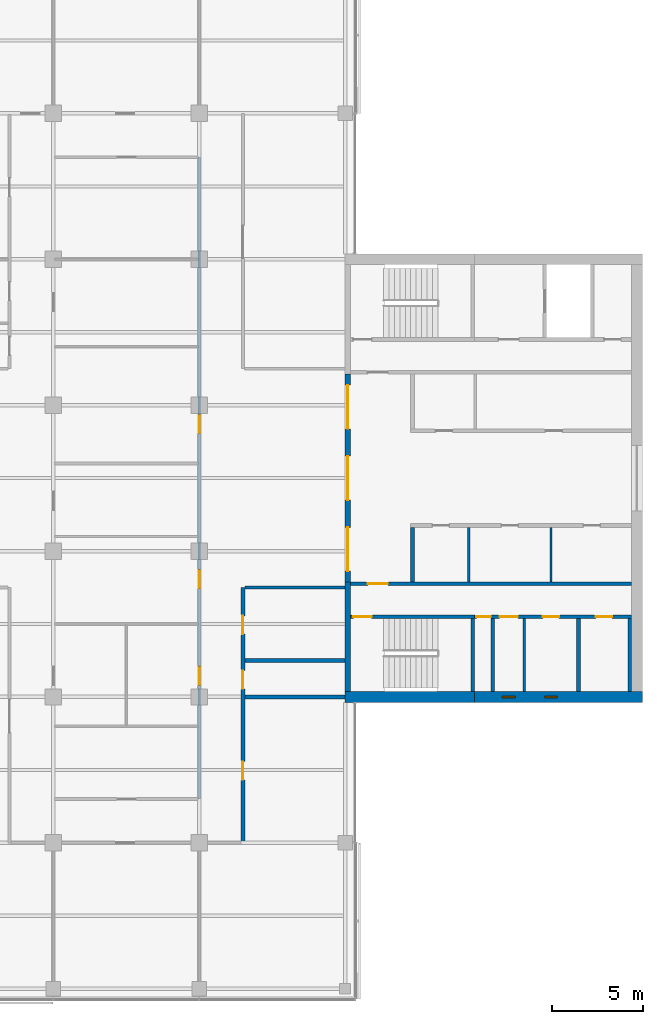
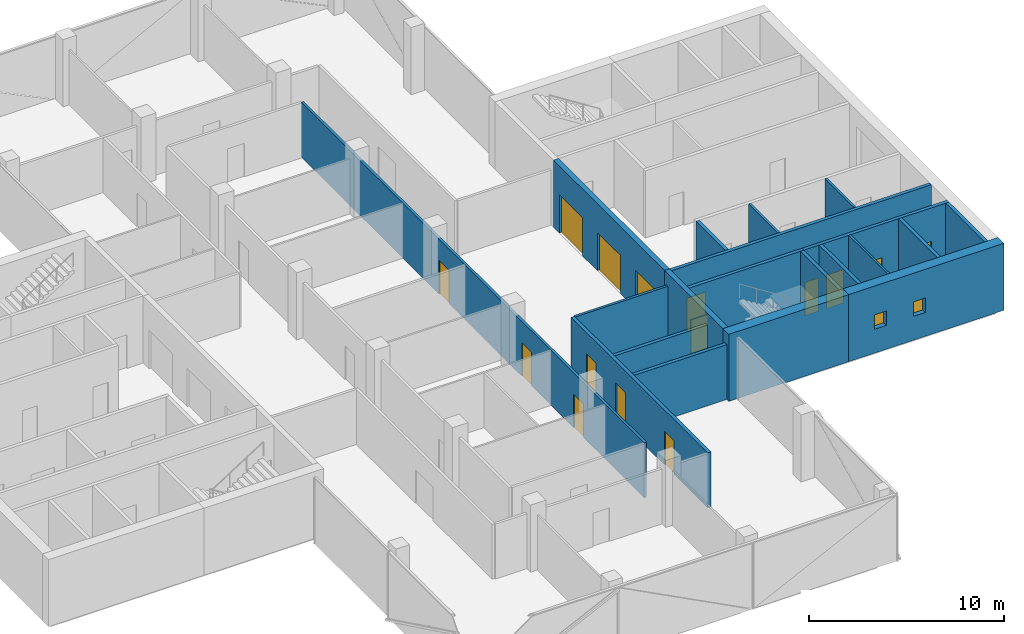
# One storey, part 10 of 15: 20 walls, 15 doors, 2 windows, 17 openings.
"""IFC4 building model written with IfcOpenShell, lengths in metres."""

from ifc_helpers import new_model, si_unit, direction, frame, frame_2d, origin, place, context, subcontext, project, spatial, rectangle, extrude, material, layer, layer_set, constituent, constituent_set, type_object, element, fill, save


model = new_model("IFC4")

# Units and contexts
model_context = context("Model", 3, precision=1e-05, world=origin(), true_north=direction((0.0, 1.0)))
body_context = subcontext(model_context, "Body", "Model", "MODEL_VIEW")
ifc_project = project(units=[si_unit("LENGTHUNIT", "METRE"), si_unit("AREAUNIT", "SQUARE_METRE"), si_unit("VOLUMEUNIT", "CUBIC_METRE"), si_unit("PLANEANGLEUNIT", "RADIAN"), si_unit("MASSUNIT", "GRAM", prefix="KILO")], contexts=[model_context])

# Site, building, storey
site_placement = place(None, origin())
site = spatial("IfcSite", under=ifc_project, at=site_placement, CompositionType="ELEMENT")
building_placement = place(site_placement, origin())
building = spatial("IfcBuilding", under=site, at=building_placement, Name="Crosswind Convention Tower", CompositionType="ELEMENT")
storey_placement = place(building_placement, frame((0.0, 0.0, 183.10009765625)))
storey = spatial("IfcBuildingStorey", under=building, at=storey_placement, Name="L38", CompositionType="ELEMENT", Elevation=183.10009765625)

# Wall
ifc_material_1 = material(Name="Concrete blockwork", Category="masonry")
ifc_layer_1 = layer(ifc_material_1, 0.199951171875)
ifc_layer_set_1 = layer_set([ifc_layer_1], Name="Blockwork partition wall 200")
wall_type_1 = type_object("IfcWallType", Name="Blockwork partition wall 200", PredefinedType="PARTITIONING", material=ifc_layer_set_1)
wall_1_placement = place(storey_placement, frame((145.10009765625, 88.300048828125, 0.0), z_axis=(0.0, 0.0, 1.0), x_axis=(0.0, 1.0, 0.0)))
element("IfcWall", 1, at=wall_1_placement, inside=storey, type_object=wall_type_1, Name="Wall MRSE E L38", PredefinedType="PARTITIONING", context=body_context, shape_type="SweptSolid", body=[
    extrude(rectangle(XDim=4.0, YDim=0.199951171875, at=frame_2d((2.0, 0.0))), origin(), (0.0, 0.0, 1.0), 4.199951171875),
])

# Wall, openings, doors
ifc_layer_2 = layer(ifc_material_1, 0.199951171875)
ifc_layer_set_2 = layer_set([ifc_layer_2], Name="COMPARTMENT WALL 200 BLOCKWORK")
wall_type_2 = type_object("IfcWallType", Name="COMPARTMENT WALL 200 BLOCKWORK", PredefinedType="SOLIDWALL", material=ifc_layer_set_2)
wall_2_placement = place(storey_placement, frame((131.39990234375, 80.0, 0.0), z_axis=(0.0, 0.0, 1.0), x_axis=(0.0, 1.0, 0.0)))
wall_2 = element("IfcWall", 2, at=wall_2_placement, inside=storey, type_object=wall_type_2, Name="Compartment wall WT42", PredefinedType="SOLIDWALL", context=body_context, shape_type="SweptSolid", body=[
    extrude(rectangle(XDim=14.0, YDim=0.199951171875, at=frame_2d((7.0, 0.0))), origin(), (0.0, 0.0, 1.0), 3.439697265625),
])
opening_1_placement = place(wall_2_placement, frame((11.449951171875, 0.0, 0.0)))
opening_1 = element("IfcOpeningElement", 3, at=opening_1_placement, cuts=wall_2, Name="Opening L38-51", PredefinedType="OPENING", context=body_context, shape_type="SweptSolid", body=[
    extrude(rectangle(XDim=1.0, YDim=2.10009765625, at=frame_2d((0.5, 1.050048828125))), frame((0.0, 0.10986328125, 0.0), z_axis=(0.0, -1.0, 0.0), x_axis=(1.0, 0.0, 0.0)), (0.0, 0.0, 1.0), 0.219970703125),
])
opening_2_placement = place(wall_2_placement, frame((8.449951171875, 0.0, 0.0)))
opening_2 = element("IfcOpeningElement", 4, at=opening_2_placement, cuts=wall_2, Name="Opening L38-52", PredefinedType="OPENING", context=body_context, shape_type="SweptSolid", body=[
    extrude(rectangle(XDim=1.0, YDim=2.10009765625, at=frame_2d((0.5, 1.050048828125))), frame((0.0, 0.10986328125, 0.0), z_axis=(0.0, -1.0, 0.0), x_axis=(1.0, 0.0, 0.0)), (0.0, 0.0, 1.0), 0.219970703125),
])
opening_3_placement = place(wall_2_placement, frame((3.449951171875, 0.0, 0.0)))
opening_3 = element("IfcOpeningElement", 5, at=opening_3_placement, cuts=wall_2, Name="Opening L38-53", PredefinedType="OPENING", context=body_context, shape_type="SweptSolid", body=[
    extrude(rectangle(XDim=1.0, YDim=2.10009765625, at=frame_2d((0.5, 1.050048828125))), frame((0.0, 0.10986328125, 0.0), z_axis=(0.0, -1.0, 0.0), x_axis=(1.0, 0.0, 0.0)), (0.0, 0.0, 1.0), 0.219970703125),
])
ifc_material_2 = material(Name="Steel fire door", Category="steel")
door_type_1 = type_object("IfcDoorType", Name="PLANT ROOM DOOR 1000X2100 FD60", OperationType="NOTDEFINED", PredefinedType="DOOR", material=ifc_material_2)
door_1_placement = place(opening_2_placement, frame((1.0, 0.0, 0.0), z_axis=(0.0, 0.0, 1.0), x_axis=(-1.0, 0.0, 0.0)))
door_1 = element("IfcDoor", 6, at=door_1_placement, inside=storey, type_object=door_type_1, Name="Door L38-52", ObjectType="D43", OperationType="SINGLE_SWING_RIGHT", OverallHeight=2.10009765625, OverallWidth=1.0, PredefinedType="DOOR", context=body_context, shape_type="SweptSolid", body=[
    extrude(rectangle(XDim=1.0, YDim=2.10009765625, at=frame_2d((0.5, 1.050048828125))), frame((0.0, 0.02490234375, 0.0), z_axis=(0.0, -1.0, 0.0), x_axis=(1.0, 0.0, 0.0)), (0.0, 0.0, 1.0), 0.050048828125),
])
fill(opening_2, door_1)
ifc_material_3 = material(Name="Timber fire door", Category="wood")
door_type_2 = type_object("IfcDoorType", Name="TENANCY ENTRANCE DOOR 1000X2100 FD30S", OperationType="NOTDEFINED", PredefinedType="DOOR", material=ifc_material_3)
door_2_placement = place(opening_1_placement, frame((1.0, 0.0, 0.0), z_axis=(0.0, 0.0, 1.0), x_axis=(-1.0, 0.0, 0.0)))
door_2 = element("IfcDoor", 7, at=door_2_placement, inside=storey, type_object=door_type_2, Name="Door L38-51", ObjectType="D41", OperationType="SINGLE_SWING_RIGHT", OverallHeight=2.10009765625, OverallWidth=1.0, PredefinedType="DOOR", context=body_context, shape_type="SweptSolid", body=[
    extrude(rectangle(XDim=1.0, YDim=2.10009765625, at=frame_2d((0.5, 1.050048828125))), frame((0.0, 0.02490234375, 0.0), z_axis=(0.0, -1.0, 0.0), x_axis=(1.0, 0.0, 0.0)), (0.0, 0.0, 1.0), 0.050048828125),
])
fill(opening_1, door_2)
door_3_placement = place(opening_3_placement, frame((1.0, 0.0, 0.0), z_axis=(0.0, 0.0, 1.0), x_axis=(-1.0, 0.0, 0.0)))
door_3 = element("IfcDoor", 8, at=door_3_placement, inside=storey, type_object=door_type_2, Name="Door L38-53", ObjectType="D41", OperationType="SINGLE_SWING_LEFT", OverallHeight=2.10009765625, OverallWidth=1.0, PredefinedType="DOOR", context=body_context, shape_type="SweptSolid", body=[
    extrude(rectangle(XDim=1.0, YDim=2.10009765625, at=frame_2d((0.5, 1.050048828125))), frame((0.0, 0.02490234375, 0.0), z_axis=(0.0, -1.0, 0.0), x_axis=(1.0, 0.0, 0.0)), (0.0, 0.0, 1.0), 0.050048828125),
])
fill(opening_3, door_3)

# Walls
for number, where, z_axis, x_axis, name in (
    (9, (131.5, 88.0, 0.0), (0.0, 0.0, 1.0), (1.0, 0.0, 0.0), "Compartment wall WT42"),
    (10, (131.5, 90.0, 0.0), (0.0, 0.0, 1.0), (1.0, 0.0, 0.0), "Compartment wall WT42"),
):
    element("IfcWall", number, at=place(storey_placement, frame(where, z_axis=z_axis, x_axis=x_axis)), inside=storey, type_object=wall_type_2, Name=name, PredefinedType="SOLIDWALL", context=body_context, shape_type="SweptSolid", body=[
        extrude(rectangle(XDim=5.5, YDim=0.199951171875, at=frame_2d((2.75, 0.0))), origin(), (0.0, 0.0, 1.0), 3.439697265625),
    ])

# Wall, openings, doors
ifc_material_4 = material(Name="Concrete C50/60", Category="concrete")
ifc_layer_3 = layer(ifc_material_4, 0.300048828125)
ifc_layer_set_3 = layer_set([ifc_layer_3], Name="Concrete C50/60")
wall_type_3 = type_object("IfcWallType", Name="Concrete inner core wall 300", PredefinedType="SHEAR", material=ifc_layer_set_3)
wall_3_placement = place(storey_placement, frame((137.14990234375, 94.300048828125, 0.0), z_axis=(0.0, 0.0, 1.0), x_axis=(0.0, 1.0, 0.0)))
wall_3 = element("IfcWall", 11, at=wall_3_placement, inside=storey, type_object=wall_type_3, Name="Wall SCR E L38", PredefinedType="SHEAR", context=body_context, shape_type="SweptSolid", body=[
    extrude(rectangle(XDim=11.39990234375, YDim=0.300048828125, at=frame_2d((5.699951171875, 0.0))), origin(), (0.0, 0.0, 1.0), 4.199951171875),
])
opening_4_placement = place(wall_3_placement, frame((0.60009765625, 0.0, 0.0)))
opening_4 = element("IfcOpeningElement", 12, at=opening_4_placement, cuts=wall_3, Name="Opening D100", PredefinedType="OPENING", context=body_context, shape_type="SweptSolid", body=[
    extrude(rectangle(XDim=2.39990234375, YDim=2.39990234375, at=frame_2d((1.199951171875, 1.199951171875))), frame((0.0, 0.159912109375, 0.0), z_axis=(0.0, -1.0, 0.0), x_axis=(1.0, 0.0, 0.0)), (0.0, 0.0, 1.0), 0.320068359375),
])
opening_5_placement = place(wall_3_placement, frame((4.5, 0.0, 0.0)))
opening_5 = element("IfcOpeningElement", 13, at=opening_5_placement, cuts=wall_3, Name="Opening D100", PredefinedType="OPENING", context=body_context, shape_type="SweptSolid", body=[
    extrude(rectangle(XDim=2.39990234375, YDim=2.39990234375, at=frame_2d((1.199951171875, 1.199951171875))), frame((0.0, 0.159912109375, 0.0), z_axis=(0.0, -1.0, 0.0), x_axis=(1.0, 0.0, 0.0)), (0.0, 0.0, 1.0), 0.320068359375),
])
opening_6_placement = place(wall_3_placement, frame((8.39990234375, 0.0, 0.0)))
opening_6 = element("IfcOpeningElement", 14, at=opening_6_placement, cuts=wall_3, Name="Opening D100", PredefinedType="OPENING", context=body_context, shape_type="SweptSolid", body=[
    extrude(rectangle(XDim=2.39990234375, YDim=2.39990234375, at=frame_2d((1.199951171875, 1.199951171875))), frame((0.0, 0.159912109375, 0.0), z_axis=(0.0, -1.0, 0.0), x_axis=(1.0, 0.0, 0.0)), (0.0, 0.0, 1.0), 0.320068359375),
])
ifc_material_5 = material(Name="Steel fire door with glazed vision panels", Category="steel")
door_type_3 = type_object("IfcDoorType", Name="Fire-rated double door 2400x2400", OperationType="DOUBLE_DOOR_SINGLE_SWING", PredefinedType="DOOR", material=ifc_material_5)
door_4_placement = place(opening_4_placement, origin())
door_4 = element("IfcDoor", 15, at=door_4_placement, inside=storey, type_object=door_type_3, Name="Lobby door 1 L38", ObjectType="D100", OperationType="DOUBLE_DOOR_SINGLE_SWING", OverallHeight=2.39990234375, OverallWidth=2.39990234375, PredefinedType="DOOR", context=body_context, shape_type="SweptSolid", body=[
    extrude(rectangle(XDim=2.39990234375, YDim=2.39990234375, at=frame_2d((1.199951171875, 1.199951171875))), frame((0.0, 0.02490234375, 0.0), z_axis=(0.0, -1.0, 0.0), x_axis=(1.0, 0.0, 0.0)), (0.0, 0.0, 1.0), 0.050048828125),
])
fill(opening_4, door_4)
door_5_placement = place(opening_5_placement, origin())
door_5 = element("IfcDoor", 16, at=door_5_placement, inside=storey, type_object=door_type_3, Name="Lobby door 2 L38", ObjectType="D100", OperationType="DOUBLE_DOOR_SINGLE_SWING", OverallHeight=2.39990234375, OverallWidth=2.39990234375, PredefinedType="DOOR", context=body_context, shape_type="SweptSolid", body=[
    extrude(rectangle(XDim=2.39990234375, YDim=2.39990234375, at=frame_2d((1.199951171875, 1.199951171875))), frame((0.0, 0.02490234375, 0.0), z_axis=(0.0, -1.0, 0.0), x_axis=(1.0, 0.0, 0.0)), (0.0, 0.0, 1.0), 0.050048828125),
])
fill(opening_5, door_5)
door_6_placement = place(opening_6_placement, origin())
door_6 = element("IfcDoor", 17, at=door_6_placement, inside=storey, type_object=door_type_3, Name="Lobby door 3 L38", ObjectType="D100", OperationType="DOUBLE_DOOR_SINGLE_SWING", OverallHeight=2.39990234375, OverallWidth=2.39990234375, PredefinedType="DOOR", context=body_context, shape_type="SweptSolid", body=[
    extrude(rectangle(XDim=2.39990234375, YDim=2.39990234375, at=frame_2d((1.199951171875, 1.199951171875))), frame((0.0, 0.02490234375, 0.0), z_axis=(0.0, -1.0, 0.0), x_axis=(1.0, 0.0, 0.0)), (0.0, 0.0, 1.0), 0.050048828125),
])
fill(opening_6, door_6)

# Walls
wall_4_placement = place(storey_placement, frame((137.14990234375, 88.300048828125, 0.0), z_axis=(0.0, 0.0, 1.0), x_axis=(0.0, 1.0, 0.0)))
element("IfcWall", 18, at=wall_4_placement, inside=storey, type_object=wall_type_3, Name="Wall EM E L38", PredefinedType="SHEAR", context=body_context, shape_type="SweptSolid", body=[
    extrude(rectangle(XDim=6.0, YDim=0.300048828125, at=frame_2d((3.0, 0.0))), origin(), (0.0, 0.0, 1.0), 4.199951171875),
])
ifc_layer_4 = layer(ifc_material_4, 0.199951171875)
ifc_layer_set_4 = layer_set([ifc_layer_4], Name="Concrete C50/60")
wall_type_4 = type_object("IfcWallType", Name="Concrete shaft and stair wall 200", PredefinedType="SHEAR", material=ifc_layer_set_4)
wall_5_placement = place(storey_placement, frame((140.699951171875, 94.300048828125, 0.0), z_axis=(0.0, 0.0, 1.0), x_axis=(0.0, 1.0, 0.0)))
element("IfcWall", 19, at=wall_5_placement, inside=storey, type_object=wall_type_4, Name="Wall RMEND E L38", PredefinedType="SHEAR", context=body_context, shape_type="SweptSolid", body=[
    extrude(rectangle(XDim=3.0, YDim=0.199951171875, at=frame_2d((1.5, 0.0))), origin(), (0.0, 0.0, 1.0), 4.199951171875),
])

# Wall, opening, door
wall_6_placement = place(storey_placement, frame((137.300048828125, 94.199951171875, 0.0), z_axis=(0.0, 0.0, 1.0), x_axis=(1.0, 0.0, 0.0)))
wall_6 = element("IfcWall", 20, at=wall_6_placement, inside=storey, type_object=wall_type_4, Name="Wall HM E L38", PredefinedType="SHEAR", context=body_context, shape_type="SweptSolid", body=[
    extrude(rectangle(XDim=15.39990234375, YDim=0.199951171875, at=frame_2d((7.699951171875, 0.0))), origin(), (0.0, 0.0, 1.0), 4.199951171875),
])
opening_7_placement = place(wall_6_placement, frame((0.949951171875, 0.0, 0.0)))
opening_7 = element("IfcOpeningElement", 21, at=opening_7_placement, cuts=wall_6, Name="Opening D104", PredefinedType="OPENING", context=body_context, shape_type="SweptSolid", body=[
    extrude(rectangle(XDim=1.10009765625, YDim=2.10009765625, at=frame_2d((0.550048828125, 1.050048828125))), frame((0.0, 0.10986328125, 0.0), z_axis=(0.0, -1.0, 0.0), x_axis=(1.0, 0.0, 0.0)), (0.0, 0.0, 1.0), 0.219970703125),
])
door_type_4 = type_object("IfcDoorType", Name="Fire-rated single door 1100x2100", OperationType="NOTDEFINED", PredefinedType="DOOR", material=ifc_material_2)
door_7_placement = place(opening_7_placement, origin())
door_7 = element("IfcDoor", 22, at=door_7_placement, inside=storey, type_object=door_type_4, Name="Corridor door L38", ObjectType="D104", OperationType="SINGLE_SWING_LEFT", OverallHeight=2.10009765625, OverallWidth=1.10009765625, PredefinedType="DOOR", context=body_context, shape_type="SweptSolid", body=[
    extrude(rectangle(XDim=1.10009765625, YDim=2.10009765625, at=frame_2d((0.550048828125, 1.050048828125))), frame((0.0, 0.02490234375, 0.0), z_axis=(0.0, -1.0, 0.0), x_axis=(1.0, 0.0, 0.0)), (0.0, 0.0, 1.0), 0.050048828125),
])
fill(opening_7, door_7)

# Walls
for number, where, z_axis, x_axis, name in (
    (23, (144.0, 88.300048828125, 0.0), (0.0, 0.0, 1.0), (0.0, 1.0, 0.0), "Wall MSE E L38"),
    (24, (149.800048828125, 88.300048828125, 0.0), (0.0, 0.0, 1.0), (0.0, 1.0, 0.0), "Wall MFSW E L38"),
    (25, (152.60009765625, 88.300048828125, 0.0), (0.0, 0.0, 1.0), (0.0, 1.0, 0.0), "Wall MFSE E L38"),
):
    element("IfcWall", number, at=place(storey_placement, frame(where, z_axis=z_axis, x_axis=x_axis)), inside=storey, type_object=wall_type_4, Name=name, PredefinedType="SHEAR", context=body_context, shape_type="SweptSolid", body=[
        extrude(rectangle(XDim=4.0, YDim=0.199951171875, at=frame_2d((2.0, 0.0))), origin(), (0.0, 0.0, 1.0), 4.199951171875),
    ])

# Wall, opening, door
wall_7_placement = place(storey_placement, frame((137.300048828125, 92.39990234375, 0.0), z_axis=(0.0, 0.0, 1.0), x_axis=(1.0, 0.0, 0.0)))
wall_7 = element("IfcWall", 26, at=wall_7_placement, inside=storey, type_object=wall_type_4, Name="Wall MCW E L38", PredefinedType="SHEAR", context=body_context, shape_type="SweptSolid", body=[
    extrude(rectangle(XDim=6.800048828125, YDim=0.199951171875, at=frame_2d((3.39990234375, 0.0))), origin(), (0.0, 0.0, 1.0), 4.199951171875),
])
opening_8_placement = place(wall_7_placement, frame((0.14990234375, 0.0, 0.0)))
opening_8 = element("IfcOpeningElement", 27, at=opening_8_placement, cuts=wall_7, Name="Opening D103", PredefinedType="OPENING", context=body_context, shape_type="SweptSolid", body=[
    extrude(rectangle(XDim=1.0, YDim=2.10009765625, at=frame_2d((0.5, 1.050048828125))), frame((0.0, 0.10986328125, 0.0), z_axis=(0.0, -1.0, 0.0), x_axis=(1.0, 0.0, 0.0)), (0.0, 0.0, 1.0), 0.219970703125),
])
door_type_5 = type_object("IfcDoorType", Name="Fire-rated single door 1000x2100", OperationType="NOTDEFINED", PredefinedType="DOOR", material=ifc_material_2)
door_8_placement = place(opening_8_placement, frame((1.0, 0.0, 0.0), z_axis=(0.0, 0.0, 1.0), x_axis=(-1.0, 0.0, 0.0)))
door_8 = element("IfcDoor", 28, at=door_8_placement, inside=storey, type_object=door_type_5, Name="Stair ST2 door L38", ObjectType="D103", OperationType="SINGLE_SWING_RIGHT", OverallHeight=2.10009765625, OverallWidth=1.0, PredefinedType="DOOR", context=body_context, shape_type="SweptSolid", body=[
    extrude(rectangle(XDim=1.0, YDim=2.10009765625, at=frame_2d((0.5, 1.050048828125))), frame((0.0, 0.02490234375, 0.0), z_axis=(0.0, -1.0, 0.0), x_axis=(1.0, 0.0, 0.0)), (0.0, 0.0, 1.0), 0.050048828125),
])
fill(opening_8, door_8)

# Wall, openings, doors
wall_8_placement = place(storey_placement, frame((144.10009765625, 92.39990234375, 0.0), z_axis=(0.0, 0.0, 1.0), x_axis=(1.0, 0.0, 0.0)))
wall_8 = element("IfcWall", 29, at=wall_8_placement, inside=storey, type_object=wall_type_4, Name="Wall MCX E L38", PredefinedType="SHEAR", context=body_context, shape_type="SweptSolid", body=[
    extrude(rectangle(XDim=8.599853515625, YDim=0.199951171875, at=frame_2d((4.2998046875, 0.0))), origin(), (0.0, 0.0, 1.0), 4.199951171875),
])
opening_9_placement = place(wall_8_placement, frame((0.10009765625, 0.0, 0.0)))
opening_9 = element("IfcOpeningElement", 30, at=opening_9_placement, cuts=wall_8, Name="Opening D105", PredefinedType="OPENING", context=body_context, shape_type="SweptSolid", body=[
    extrude(rectangle(XDim=0.800048828125, YDim=2.10009765625, at=frame_2d((0.39990234375, 1.050048828125))), frame((0.0, 0.10986328125, 0.0), z_axis=(0.0, -1.0, 0.0), x_axis=(1.0, 0.0, 0.0)), (0.0, 0.0, 1.0), 0.219970703125),
])
opening_10_placement = place(wall_8_placement, frame((1.378662109375, 0.0, 0.0)))
opening_10 = element("IfcOpeningElement", 31, at=opening_10_placement, cuts=wall_8, Name="Opening D103", PredefinedType="OPENING", context=body_context, shape_type="SweptSolid", body=[
    extrude(rectangle(XDim=1.0, YDim=2.10009765625, at=frame_2d((0.5, 1.050048828125))), frame((0.0, 0.10986328125, 0.0), z_axis=(0.0, -1.0, 0.0), x_axis=(1.0, 0.0, 0.0)), (0.0, 0.0, 1.0), 0.219970703125),
])
opening_11_placement = place(wall_8_placement, frame((3.7412109375, 0.0, 0.0)))
opening_11 = element("IfcOpeningElement", 32, at=opening_11_placement, cuts=wall_8, Name="Opening D106", PredefinedType="OPENING", context=body_context, shape_type="SweptSolid", body=[
    extrude(rectangle(XDim=0.89990234375, YDim=2.10009765625, at=frame_2d((0.449951171875, 1.050048828125))), frame((0.0, 0.10986328125, 0.0), z_axis=(0.0, -1.0, 0.0), x_axis=(1.0, 0.0, 0.0)), (0.0, 0.0, 1.0), 0.219970703125),
])
opening_12_placement = place(wall_8_placement, frame((6.64990234375, 0.0, 0.0)))
opening_12 = element("IfcOpeningElement", 33, at=opening_12_placement, cuts=wall_8, Name="Opening D106", PredefinedType="OPENING", context=body_context, shape_type="SweptSolid", body=[
    extrude(rectangle(XDim=0.89990234375, YDim=2.10009765625, at=frame_2d((0.449951171875, 1.050048828125))), frame((0.0, 0.10986328125, 0.0), z_axis=(0.0, -1.0, 0.0), x_axis=(1.0, 0.0, 0.0)), (0.0, 0.0, 1.0), 0.219970703125),
])
door_9_placement = place(opening_10_placement, frame((1.0, 0.0, 0.0), z_axis=(0.0, 0.0, 1.0), x_axis=(-1.0, 0.0, 0.0)))
door_9 = element("IfcDoor", 34, at=door_9_placement, inside=storey, type_object=door_type_5, Name="Door to accessible wc L38", ObjectType="D103", OperationType="SINGLE_SWING_LEFT", OverallHeight=2.10009765625, OverallWidth=1.0, PredefinedType="DOOR", context=body_context, shape_type="SweptSolid", body=[
    extrude(rectangle(XDim=1.0, YDim=2.10009765625, at=frame_2d((0.5, 1.050048828125))), frame((0.0, 0.02490234375, 0.0), z_axis=(0.0, -1.0, 0.0), x_axis=(1.0, 0.0, 0.0)), (0.0, 0.0, 1.0), 0.050048828125),
])
fill(opening_10, door_9)
door_type_6 = type_object("IfcDoorType", Name="Riser access door 800x2100", OperationType="NOTDEFINED", PredefinedType="DOOR", material=ifc_material_2)
door_10_placement = place(opening_9_placement, frame((0.800048828125, 0.0, 0.0), z_axis=(0.0, 0.0, 1.0), x_axis=(-1.0, 0.0, 0.0)))
door_10 = element("IfcDoor", 35, at=door_10_placement, inside=storey, type_object=door_type_6, Name="Riser door L38", ObjectType="D105", OperationType="SINGLE_SWING_LEFT", OverallHeight=2.10009765625, OverallWidth=0.800048828125, PredefinedType="DOOR", context=body_context, shape_type="SweptSolid", body=[
    extrude(rectangle(XDim=0.800048828125, YDim=2.10009765625, at=frame_2d((0.39990234375, 1.050048828125))), frame((0.0, 0.02490234375, 0.0), z_axis=(0.0, -1.0, 0.0), x_axis=(1.0, 0.0, 0.0)), (0.0, 0.0, 1.0), 0.050048828125),
])
fill(opening_9, door_10)
ifc_material_6 = material(Name="Timber door", Category="wood")
door_type_7 = type_object("IfcDoorType", Name="Single leaf door 900x2100", OperationType="NOTDEFINED", PredefinedType="DOOR", material=ifc_material_6)
door_11_placement = place(opening_11_placement, frame((0.89990234375, 0.0, 0.0), z_axis=(0.0, 0.0, 1.0), x_axis=(-1.0, 0.0, 0.0)))
door_11 = element("IfcDoor", 36, at=door_11_placement, inside=storey, type_object=door_type_7, Name="Door to wc L38", ObjectType="D106", OperationType="SINGLE_SWING_LEFT", OverallHeight=2.10009765625, OverallWidth=0.89990234375, PredefinedType="DOOR", context=body_context, shape_type="SweptSolid", body=[
    extrude(rectangle(XDim=0.89990234375, YDim=2.10009765625, at=frame_2d((0.449951171875, 1.050048828125))), frame((0.0, 0.02490234375, 0.0), z_axis=(0.0, -1.0, 0.0), x_axis=(1.0, 0.0, 0.0)), (0.0, 0.0, 1.0), 0.050048828125),
])
fill(opening_11, door_11)
door_12_placement = place(opening_12_placement, frame((0.89990234375, 0.0, 0.0), z_axis=(0.0, 0.0, 1.0), x_axis=(-1.0, 0.0, 0.0)))
door_12 = element("IfcDoor", 37, at=door_12_placement, inside=storey, type_object=door_type_7, Name="Door to wc L38", ObjectType="D106", OperationType="SINGLE_SWING_LEFT", OverallHeight=2.10009765625, OverallWidth=0.89990234375, PredefinedType="DOOR", context=body_context, shape_type="SweptSolid", body=[
    extrude(rectangle(XDim=0.89990234375, YDim=2.10009765625, at=frame_2d((0.449951171875, 1.050048828125))), frame((0.0, 0.02490234375, 0.0), z_axis=(0.0, -1.0, 0.0), x_axis=(1.0, 0.0, 0.0)), (0.0, 0.0, 1.0), 0.050048828125),
])
fill(opening_12, door_12)

# Walls
ifc_material_7 = material(Name="Gypsum plasterboard partition", Category="gypsum")
ifc_layer_5 = layer(ifc_material_7, 0.125)
ifc_layer_set_5 = layer_set([ifc_layer_5], Name="Drywall partition wall 125")
wall_type_5 = type_object("IfcWallType", Name="Drywall partition wall 125", PredefinedType="PARTITIONING", material=ifc_layer_set_5)
for number, where, z_axis, x_axis, name in (
    (38, (143.77490234375, 94.300048828125, 0.0), (0.0, 0.0, 1.0), (0.0, 1.0, 0.0), "Wall RMP1 E L38"),
    (39, (148.297119140625, 94.300048828125, 0.0), (0.0, 0.0, 1.0), (0.0, 1.0, 0.0), "Wall RMP2 E L38"),
):
    element("IfcWall", number, at=place(storey_placement, frame(where, z_axis=z_axis, x_axis=x_axis)), inside=storey, type_object=wall_type_5, Name=name, PredefinedType="PARTITIONING", context=body_context, shape_type="SweptSolid", body=[
        extrude(rectangle(XDim=3.0, YDim=0.125, at=frame_2d((1.5, 0.0))), origin(), (0.0, 0.0, 1.0), 4.199951171875),
    ])
wall_9_placement = place(storey_placement, frame((146.820068359375, 88.300048828125, 0.0), z_axis=(0.0, 0.0, 1.0), x_axis=(0.0, 1.0, 0.0)))
element("IfcWall", 40, at=wall_9_placement, inside=storey, type_object=wall_type_5, Name="Wall MWP1 E L38", PredefinedType="PARTITIONING", context=body_context, shape_type="SweptSolid", body=[
    extrude(rectangle(XDim=4.0, YDim=0.125, at=frame_2d((2.0, 0.0))), origin(), (0.0, 0.0, 1.0), 4.199951171875),
])

# Wall, openings, doors
ifc_material_8 = material(Name="Fire-board partition with mineral wool", Category="gypsum")
ifc_layer_6 = layer(ifc_material_8, 0.14990234375)
ifc_layer_set_6 = layer_set([ifc_layer_6], Name="TENANCY WALL 150 TWO-HOUR BOARD")
wall_type_6 = type_object("IfcWallType", Name="TENANCY WALL 150 TWO-HOUR BOARD", PredefinedType="PARTITIONING", material=ifc_layer_set_6)
wall_10_placement = place(storey_placement, frame((129.0, 82.39990234375, 0.0), z_axis=(0.0, 0.0, 1.0), x_axis=(0.0, 1.0, 0.0)))
wall_10 = element("IfcWall", 41, at=wall_10_placement, inside=storey, type_object=wall_type_6, Name="Tenancy wall WT41", PredefinedType="PARTITIONING", context=body_context, shape_type="SweptSolid", body=[
    extrude(rectangle(XDim=35.2001953125, YDim=0.14990234375, at=frame_2d((17.60009765625, 0.0))), origin(), (0.0, 0.0, 1.0), 3.439697265625),
])
opening_13_placement = place(wall_10_placement, frame((6.25, 0.0, 0.0)))
opening_13 = element("IfcOpeningElement", 42, at=opening_13_placement, cuts=wall_10, Name="Opening L38-63", PredefinedType="OPENING", context=body_context, shape_type="SweptSolid", body=[
    extrude(rectangle(XDim=1.0, YDim=2.10009765625, at=frame_2d((0.5, 1.050048828125))), frame((0.0, 0.0849609375, 0.0), z_axis=(0.0, -1.0, 0.0), x_axis=(1.0, 0.0, 0.0)), (0.0, 0.0, 1.0), 0.169921875),
])
opening_14_placement = place(wall_10_placement, frame((11.550048828125, 0.0, 0.0)))
opening_14 = element("IfcOpeningElement", 43, at=opening_14_placement, cuts=wall_10, Name="Opening L38-64", PredefinedType="OPENING", context=body_context, shape_type="SweptSolid", body=[
    extrude(rectangle(XDim=1.0, YDim=2.10009765625, at=frame_2d((0.5, 1.050048828125))), frame((0.0, 0.0849609375, 0.0), z_axis=(0.0, -1.0, 0.0), x_axis=(1.0, 0.0, 0.0)), (0.0, 0.0, 1.0), 0.169921875),
])
opening_15_placement = place(wall_10_placement, frame((20.050048828125, 0.0, 0.0)))
opening_15 = element("IfcOpeningElement", 44, at=opening_15_placement, cuts=wall_10, Name="Opening L38-66", PredefinedType="OPENING", context=body_context, shape_type="SweptSolid", body=[
    extrude(rectangle(XDim=1.0, YDim=2.10009765625, at=frame_2d((0.5, 1.050048828125))), frame((0.0, 0.0849609375, 0.0), z_axis=(0.0, -1.0, 0.0), x_axis=(1.0, 0.0, 0.0)), (0.0, 0.0, 1.0), 0.169921875),
])
door_13_placement = place(opening_13_placement, origin())
door_13 = element("IfcDoor", 45, at=door_13_placement, inside=storey, type_object=door_type_2, Name="Door L38-63", ObjectType="D41", OperationType="SINGLE_SWING_LEFT", OverallHeight=2.10009765625, OverallWidth=1.0, PredefinedType="DOOR", context=body_context, shape_type="SweptSolid", body=[
    extrude(rectangle(XDim=1.0, YDim=2.10009765625, at=frame_2d((0.5, 1.050048828125))), frame((0.0, 0.02490234375, 0.0), z_axis=(0.0, -1.0, 0.0), x_axis=(1.0, 0.0, 0.0)), (0.0, 0.0, 1.0), 0.050048828125),
])
fill(opening_13, door_13)
door_14_placement = place(opening_14_placement, origin())
door_14 = element("IfcDoor", 46, at=door_14_placement, inside=storey, type_object=door_type_2, Name="Door L38-64", ObjectType="D41", OperationType="SINGLE_SWING_RIGHT", OverallHeight=2.10009765625, OverallWidth=1.0, PredefinedType="DOOR", context=body_context, shape_type="SweptSolid", body=[
    extrude(rectangle(XDim=1.0, YDim=2.10009765625, at=frame_2d((0.5, 1.050048828125))), frame((0.0, 0.02490234375, 0.0), z_axis=(0.0, -1.0, 0.0), x_axis=(1.0, 0.0, 0.0)), (0.0, 0.0, 1.0), 0.050048828125),
])
fill(opening_14, door_14)
door_15_placement = place(opening_15_placement, origin())
door_15 = element("IfcDoor", 47, at=door_15_placement, inside=storey, type_object=door_type_2, Name="Door L38-66", ObjectType="D41", OperationType="SINGLE_SWING_RIGHT", OverallHeight=2.10009765625, OverallWidth=1.0, PredefinedType="DOOR", context=body_context, shape_type="SweptSolid", body=[
    extrude(rectangle(XDim=1.0, YDim=2.10009765625, at=frame_2d((0.5, 1.050048828125))), frame((0.0, 0.02490234375, 0.0), z_axis=(0.0, -1.0, 0.0), x_axis=(1.0, 0.0, 0.0)), (0.0, 0.0, 1.0), 0.050048828125),
])
fill(opening_15, door_15)

# Walls
wall_11_placement = place(storey_placement, frame((131.5, 94.0, 0.0), z_axis=(0.0, 0.0, 1.0), x_axis=(1.0, 0.0, 0.0)))
element("IfcWall", 48, at=wall_11_placement, inside=storey, type_object=wall_type_6, Name="Tenancy wall WT41", PredefinedType="PARTITIONING", context=body_context, shape_type="SweptSolid", body=[
    extrude(rectangle(XDim=5.5, YDim=0.14990234375, at=frame_2d((2.75, 0.0))), origin(), (0.0, 0.0, 1.0), 3.439697265625),
])
ifc_material_9 = material(Name="Concrete C60/75", Category="concrete")
ifc_constituent_1 = constituent(ifc_material_9, Name="Structure")
ifc_material_10 = material(Name="Terracotta rainscreen", Category="ceramic")
ifc_constituent_2 = constituent(ifc_material_10, Name="Facing")
ifc_constituent_set = constituent_set(constituents=[ifc_constituent_1, ifc_constituent_2], Name="Concrete C60/75, Terracotta rainscreen")
wall_type_7 = type_object("IfcWallType", Name="Terracotta rainscreen on concrete core wall 600", PredefinedType="SHEAR", material=ifc_constituent_set)
wall_12_placement = place(storey_placement, frame((137.0, 88.0, 0.0), z_axis=(0.0, 0.0, 1.0), x_axis=(1.0, 0.0, 0.0)))
element("IfcWall", 49, at=wall_12_placement, inside=storey, type_object=wall_type_7, Name="Wall S1 E L38", PredefinedType="SHEAR", context=body_context, shape_type="SweptSolid", body=[
    extrude(rectangle(XDim=7.10009765625, YDim=0.60009765625, at=frame_2d((3.550048828125, 0.0))), origin(), (0.0, 0.0, 1.0), 4.199951171875),
])

# Wall, openings, windows
wall_13_placement = place(storey_placement, frame((144.10009765625, 88.0, 0.0), z_axis=(0.0, 0.0, 1.0), x_axis=(1.0, 0.0, 0.0)))
wall_13 = element("IfcWall", 50, at=wall_13_placement, inside=storey, type_object=wall_type_7, Name="Wall S2 E L38", PredefinedType="SHEAR", context=body_context, shape_type="SweptSolid", body=[
    extrude(rectangle(XDim=9.199951171875, YDim=0.60009765625, at=frame_2d((4.60009765625, 0.0))), origin(), (0.0, 0.0, 1.0), 4.199951171875),
])
opening_16_placement = place(wall_13_placement, frame((1.52880859375, 0.0, 1.5)))
opening_16 = element("IfcOpeningElement", 51, at=opening_16_placement, cuts=wall_13, Name="Opening W2", PredefinedType="OPENING", context=body_context, shape_type="SweptSolid", body=[
    extrude(rectangle(XDim=0.699951171875, YDim=0.89990234375, at=frame_2d((0.35009765625, 0.449951171875))), frame((0.0, 0.31005859375, 0.0), z_axis=(0.0, -1.0, 0.0), x_axis=(1.0, 0.0, 0.0)), (0.0, 0.0, 1.0), 0.6201171875),
])
opening_17_placement = place(wall_13_placement, frame((3.84130859375, 0.0, 1.5)))
opening_17 = element("IfcOpeningElement", 52, at=opening_17_placement, cuts=wall_13, Name="Opening W2", PredefinedType="OPENING", context=body_context, shape_type="SweptSolid", body=[
    extrude(rectangle(XDim=0.699951171875, YDim=0.89990234375, at=frame_2d((0.35009765625, 0.449951171875))), frame((0.0, 0.31005859375, 0.0), z_axis=(0.0, -1.0, 0.0), x_axis=(1.0, 0.0, 0.0)), (0.0, 0.0, 1.0), 0.6201171875),
])
ifc_material_11 = material(Name="Obscure glass in aluminium frame", Category="aluminium")
window_type = type_object("IfcWindowType", Name="WC window 700x900", PartitioningType="SINGLE_PANEL", PredefinedType="WINDOW", material=ifc_material_11)
window_1_placement = place(opening_16_placement, origin())
window_1 = element("IfcWindow", 53, at=window_1_placement, inside=storey, type_object=window_type, Name="WC window L38", ObjectType="W2", OverallHeight=0.89990234375, OverallWidth=0.699951171875, PartitioningType="SINGLE_PANEL", PredefinedType="WINDOW", context=body_context, shape_type="SweptSolid", body=[
    extrude(rectangle(XDim=0.699951171875, YDim=0.89990234375, at=frame_2d((0.35009765625, 0.449951171875))), frame((0.0, 0.030029296875, 0.0), z_axis=(0.0, -1.0, 0.0), x_axis=(1.0, 0.0, 0.0)), (0.0, 0.0, 1.0), 0.06005859375),
])
fill(opening_16, window_1)
window_2_placement = place(opening_17_placement, origin())
window_2 = element("IfcWindow", 54, at=window_2_placement, inside=storey, type_object=window_type, Name="WC window L38", ObjectType="W2", OverallHeight=0.89990234375, OverallWidth=0.699951171875, PartitioningType="SINGLE_PANEL", PredefinedType="WINDOW", context=body_context, shape_type="SweptSolid", body=[
    extrude(rectangle(XDim=0.699951171875, YDim=0.89990234375, at=frame_2d((0.35009765625, 0.449951171875))), frame((0.0, 0.030029296875, 0.0), z_axis=(0.0, -1.0, 0.0), x_axis=(1.0, 0.0, 0.0)), (0.0, 0.0, 1.0), 0.06005859375),
])
fill(opening_17, window_2)

save(model, "model.ifc")
